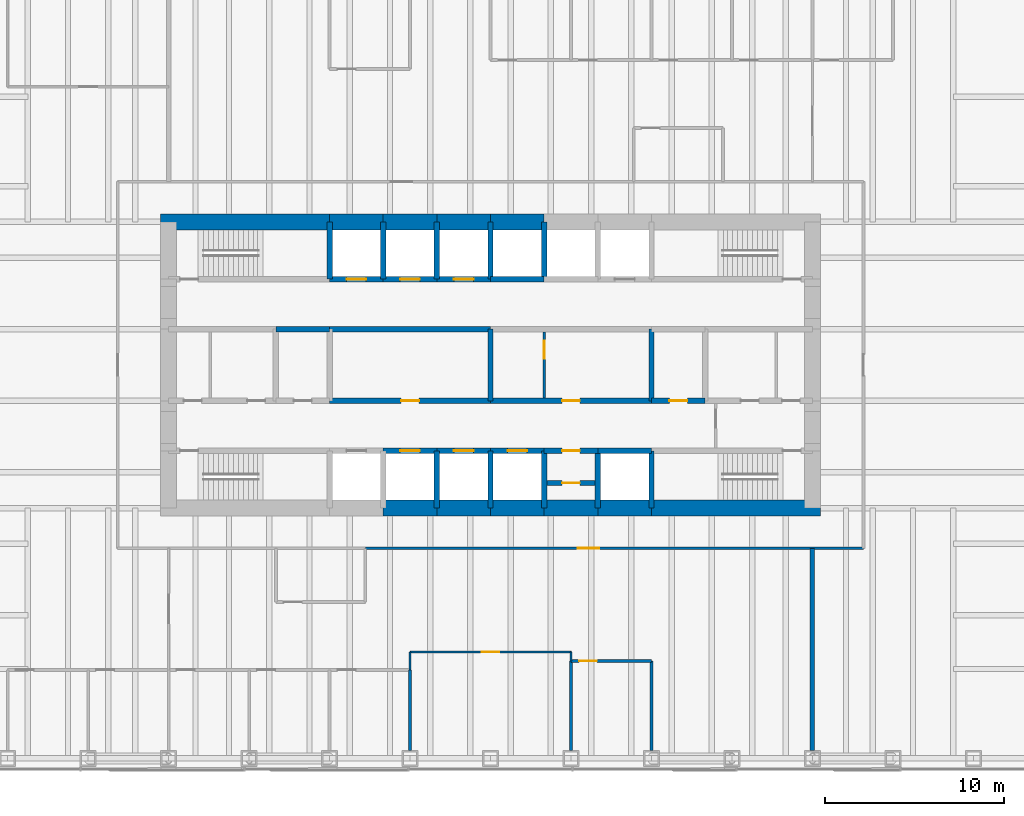
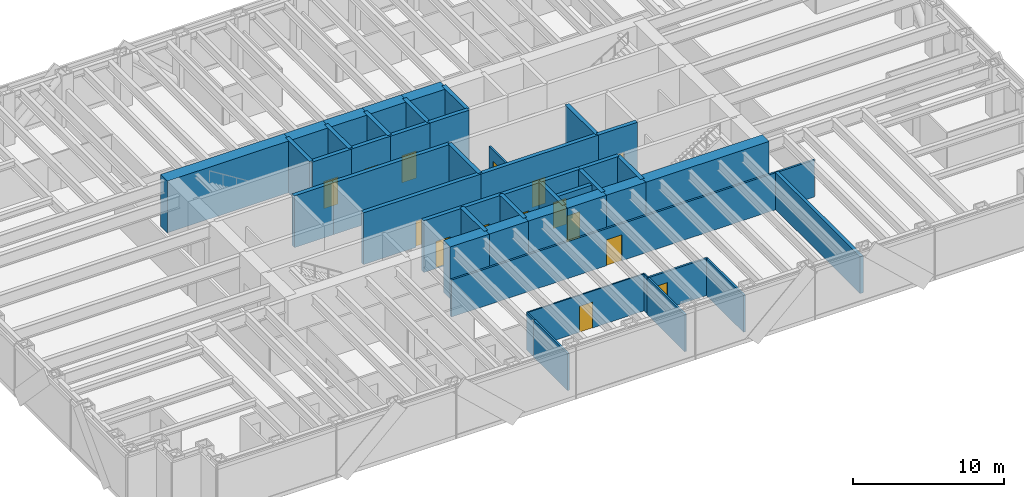
# One storey, part 12 of 15: 48 walls, 15 doors, 15 openings.
"""IFC4 building model written with IfcOpenShell, lengths in metres."""

from ifc_helpers import new_model, si_unit, direction, frame, frame_2d, origin, place, context, subcontext, project, spatial, rectangle, extrude, material, layer, layer_set, type_object, element, fill, save


model = new_model("IFC4")

# Units and contexts
model_context = context("Model", 3, precision=1e-05, world=origin(), true_north=direction((0.0, 1.0)))
body_context = subcontext(model_context, "Body", "Model", "MODEL_VIEW")
ifc_project = project(units=[si_unit("LENGTHUNIT", "METRE"), si_unit("AREAUNIT", "SQUARE_METRE"), si_unit("VOLUMEUNIT", "CUBIC_METRE"), si_unit("PLANEANGLEUNIT", "RADIAN"), si_unit("MASSUNIT", "GRAM", prefix="KILO")], contexts=[model_context])

# Site, building, storey
site_placement = place(None, origin())
site = spatial("IfcSite", under=ifc_project, at=site_placement, CompositionType="ELEMENT")
building_placement = place(site_placement, origin())
building = spatial("IfcBuilding", under=site, at=building_placement, Name="Rheinbord Bourse Tower", CompositionType="ELEMENT")
storey_placement = place(building_placement, frame((0.0, 0.0, 163.5)))
storey = spatial("IfcBuildingStorey", under=building, at=storey_placement, Name="L36", CompositionType="ELEMENT", Elevation=163.5)

# Wall, opening, door
ifc_material_1 = material(Name="Concrete C50/60", Category="concrete")
ifc_layer_1 = layer(ifc_material_1, 0.300048828125)
ifc_layer_set_1 = layer_set([ifc_layer_1], Name="CORE INNER WALL 300")
wall_type_1 = type_object("IfcWallType", Name="CORE INNER WALL 300", PredefinedType="SOLIDWALL", material=ifc_layer_set_1)
wall_1_placement = place(storey_placement, frame((30.0, 19.199951171875, 0.0), z_axis=(0.0, 0.0, 1.0), x_axis=(1.0, 0.0, 0.0)))
wall_1 = element("IfcWall", 1, at=wall_1_placement, inside=storey, type_object=wall_type_1, Name="Core wall A3 L36", PredefinedType="SOLIDWALL", context=body_context, shape_type="SweptSolid", body=[
    extrude(rectangle(XDim=3.0, YDim=0.300048828125, at=frame_2d((1.5, 0.0))), origin(), (0.0, 0.0, 1.0), 4.199951171875),
])
opening_1_placement = place(wall_1_placement, frame((0.949951171875, 0.0, 0.0)))
opening_1 = element("IfcOpeningElement", 2, at=opening_1_placement, cuts=wall_1, Name="Opening PB1", PredefinedType="OPENING", context=body_context, shape_type="SweptSolid", body=[
    extrude(rectangle(XDim=1.10009765625, YDim=2.199951171875, at=frame_2d((0.550048828125, 1.10009765625))), frame((0.0, 0.159912109375, 0.0), z_axis=(0.0, -1.0, 0.0), x_axis=(1.0, 0.0, 0.0)), (0.0, 0.0, 1.0), 0.320068359375),
])
ifc_material_2 = material(Name="Steel landing door", Category="steel")
door_type_1 = type_object("IfcDoorType", Name="LIFT LANDING DOOR 1100", OperationType="DOUBLE_DOOR_SLIDING", PredefinedType="USERDEFINED", material=ifc_material_2)
door_1_placement = place(opening_1_placement, origin())
door_1 = element("IfcDoor", 3, at=door_1_placement, inside=storey, type_object=door_type_1, Name="Lift landing door PB1 L36", ObjectType="LIFT LANDING DOOR", OperationType="DOUBLE_DOOR_SLIDING", OverallHeight=2.199951171875, OverallWidth=1.10009765625, PredefinedType="USERDEFINED", context=body_context, shape_type="SweptSolid", body=[
    extrude(rectangle(XDim=1.10009765625, YDim=2.199951171875, at=frame_2d((0.550048828125, 1.10009765625))), frame((0.0, 0.02490234375, 0.0), z_axis=(0.0, -1.0, 0.0), x_axis=(1.0, 0.0, 0.0)), (0.0, 0.0, 1.0), 0.050048828125),
])
fill(opening_1, door_1)

wall_2_placement = place(storey_placement, frame((33.0, 19.199951171875, 0.0), z_axis=(0.0, 0.0, 1.0), x_axis=(1.0, 0.0, 0.0)))
wall_2 = element("IfcWall", 4, at=wall_2_placement, inside=storey, type_object=wall_type_1, Name="Core wall A4 L36", PredefinedType="SOLIDWALL", context=body_context, shape_type="SweptSolid", body=[
    extrude(rectangle(XDim=3.0, YDim=0.300048828125, at=frame_2d((1.5, 0.0))), origin(), (0.0, 0.0, 1.0), 4.199951171875),
])
opening_2_placement = place(wall_2_placement, frame((0.949951171875, 0.0, 0.0)))
opening_2 = element("IfcOpeningElement", 5, at=opening_2_placement, cuts=wall_2, Name="Opening PB2", PredefinedType="OPENING", context=body_context, shape_type="SweptSolid", body=[
    extrude(rectangle(XDim=1.10009765625, YDim=2.199951171875, at=frame_2d((0.550048828125, 1.10009765625))), frame((0.0, 0.159912109375, 0.0), z_axis=(0.0, -1.0, 0.0), x_axis=(1.0, 0.0, 0.0)), (0.0, 0.0, 1.0), 0.320068359375),
])
door_2_placement = place(opening_2_placement, origin())
door_2 = element("IfcDoor", 6, at=door_2_placement, inside=storey, type_object=door_type_1, Name="Lift landing door PB2 L36", ObjectType="LIFT LANDING DOOR", OperationType="DOUBLE_DOOR_SLIDING", OverallHeight=2.199951171875, OverallWidth=1.10009765625, PredefinedType="USERDEFINED", context=body_context, shape_type="SweptSolid", body=[
    extrude(rectangle(XDim=1.10009765625, YDim=2.199951171875, at=frame_2d((0.550048828125, 1.10009765625))), frame((0.0, 0.02490234375, 0.0), z_axis=(0.0, -1.0, 0.0), x_axis=(1.0, 0.0, 0.0)), (0.0, 0.0, 1.0), 0.050048828125),
])
fill(opening_2, door_2)

wall_3_placement = place(storey_placement, frame((36.0, 19.199951171875, 0.0), z_axis=(0.0, 0.0, 1.0), x_axis=(1.0, 0.0, 0.0)))
wall_3 = element("IfcWall", 7, at=wall_3_placement, inside=storey, type_object=wall_type_1, Name="Core wall A5 L36", PredefinedType="SOLIDWALL", context=body_context, shape_type="SweptSolid", body=[
    extrude(rectangle(XDim=3.0, YDim=0.300048828125, at=frame_2d((1.5, 0.0))), origin(), (0.0, 0.0, 1.0), 4.199951171875),
])
opening_3_placement = place(wall_3_placement, frame((0.949951171875, 0.0, 0.0)))
opening_3 = element("IfcOpeningElement", 8, at=opening_3_placement, cuts=wall_3, Name="Opening PB3", PredefinedType="OPENING", context=body_context, shape_type="SweptSolid", body=[
    extrude(rectangle(XDim=1.10009765625, YDim=2.199951171875, at=frame_2d((0.550048828125, 1.10009765625))), frame((0.0, 0.159912109375, 0.0), z_axis=(0.0, -1.0, 0.0), x_axis=(1.0, 0.0, 0.0)), (0.0, 0.0, 1.0), 0.320068359375),
])
door_3_placement = place(opening_3_placement, origin())
door_3 = element("IfcDoor", 9, at=door_3_placement, inside=storey, type_object=door_type_1, Name="Lift landing door PB3 L36", ObjectType="LIFT LANDING DOOR", OperationType="DOUBLE_DOOR_SLIDING", OverallHeight=2.199951171875, OverallWidth=1.10009765625, PredefinedType="USERDEFINED", context=body_context, shape_type="SweptSolid", body=[
    extrude(rectangle(XDim=1.10009765625, YDim=2.199951171875, at=frame_2d((0.550048828125, 1.10009765625))), frame((0.0, 0.02490234375, 0.0), z_axis=(0.0, -1.0, 0.0), x_axis=(1.0, 0.0, 0.0)), (0.0, 0.0, 1.0), 0.050048828125),
])
fill(opening_3, door_3)

wall_4_placement = place(storey_placement, frame((39.0, 19.199951171875, 0.0), z_axis=(0.0, 0.0, 1.0), x_axis=(1.0, 0.0, 0.0)))
wall_4 = element("IfcWall", 10, at=wall_4_placement, inside=storey, type_object=wall_type_1, Name="Core wall A6 L36", PredefinedType="SOLIDWALL", context=body_context, shape_type="SweptSolid", body=[
    extrude(rectangle(XDim=3.0, YDim=0.300048828125, at=frame_2d((1.5, 0.0))), origin(), (0.0, 0.0, 1.0), 4.199951171875),
])
opening_4_placement = place(wall_4_placement, frame((1.0, 0.0, 0.0)))
opening_4 = element("IfcOpeningElement", 11, at=opening_4_placement, cuts=wall_4, Name="Opening 36R8", PredefinedType="OPENING", context=body_context, shape_type="SweptSolid", body=[
    extrude(rectangle(XDim=1.0, YDim=2.10009765625, at=frame_2d((0.5, 1.050048828125))), frame((0.0, 0.159912109375, 0.0), z_axis=(0.0, -1.0, 0.0), x_axis=(1.0, 0.0, 0.0)), (0.0, 0.0, 1.0), 0.320068359375),
])
ifc_material_3 = material(Name="Steel door", Category="steel")
door_type_2 = type_object("IfcDoorType", Name="DOOR 1000 EI30", OperationType="SINGLE_SWING_LEFT", PredefinedType="DOOR", material=ifc_material_3)
door_4_placement = place(opening_4_placement, origin())
door_4 = element("IfcDoor", 12, at=door_4_placement, inside=storey, type_object=door_type_2, Name="Mail room door L36", OperationType="SINGLE_SWING_LEFT", OverallHeight=2.10009765625, OverallWidth=1.0, PredefinedType="DOOR", context=body_context, shape_type="SweptSolid", body=[
    extrude(rectangle(XDim=1.0, YDim=2.10009765625, at=frame_2d((0.5, 1.050048828125))), frame((0.0, 0.02490234375, 0.0), z_axis=(0.0, -1.0, 0.0), x_axis=(1.0, 0.0, 0.0)), (0.0, 0.0, 1.0), 0.050048828125),
])
fill(opening_4, door_4)

# Wall
wall_5_placement = place(storey_placement, frame((42.0, 19.199951171875, 0.0), z_axis=(0.0, 0.0, 1.0), x_axis=(1.0, 0.0, 0.0)))
element("IfcWall", 13, at=wall_5_placement, inside=storey, type_object=wall_type_1, Name="Core wall A7 L36", PredefinedType="SOLIDWALL", context=body_context, shape_type="SweptSolid", body=[
    extrude(rectangle(XDim=3.0, YDim=0.300048828125, at=frame_2d((1.5, 0.0))), origin(), (0.0, 0.0, 1.0), 4.199951171875),
])

# Wall, opening, door
wall_6_placement = place(storey_placement, frame((27.0, 28.800048828125, 0.0), z_axis=(0.0, 0.0, 1.0), x_axis=(1.0, 0.0, 0.0)))
wall_6 = element("IfcWall", 14, at=wall_6_placement, inside=storey, type_object=wall_type_1, Name="Core wall B2 L36", PredefinedType="SOLIDWALL", context=body_context, shape_type="SweptSolid", body=[
    extrude(rectangle(XDim=3.0, YDim=0.300048828125, at=frame_2d((1.5, 0.0))), origin(), (0.0, 0.0, 1.0), 4.199951171875),
])
opening_5_placement = place(wall_6_placement, frame((0.949951171875, 0.0, 0.0)))
opening_5 = element("IfcOpeningElement", 15, at=opening_5_placement, cuts=wall_6, Name="Opening GL1", PredefinedType="OPENING", context=body_context, shape_type="SweptSolid", body=[
    extrude(rectangle(XDim=1.10009765625, YDim=2.199951171875, at=frame_2d((0.550048828125, 1.10009765625))), frame((0.0, 0.159912109375, 0.0), z_axis=(0.0, -1.0, 0.0), x_axis=(1.0, 0.0, 0.0)), (0.0, 0.0, 1.0), 0.320068359375),
])
door_5_placement = place(opening_5_placement, origin())
door_5 = element("IfcDoor", 16, at=door_5_placement, inside=storey, type_object=door_type_1, Name="Lift landing door GL1 L36", ObjectType="LIFT LANDING DOOR", OperationType="DOUBLE_DOOR_SLIDING", OverallHeight=2.199951171875, OverallWidth=1.10009765625, PredefinedType="USERDEFINED", context=body_context, shape_type="SweptSolid", body=[
    extrude(rectangle(XDim=1.10009765625, YDim=2.199951171875, at=frame_2d((0.550048828125, 1.10009765625))), frame((0.0, 0.02490234375, 0.0), z_axis=(0.0, -1.0, 0.0), x_axis=(1.0, 0.0, 0.0)), (0.0, 0.0, 1.0), 0.050048828125),
])
fill(opening_5, door_5)

wall_7_placement = place(storey_placement, frame((30.0, 28.800048828125, 0.0), z_axis=(0.0, 0.0, 1.0), x_axis=(1.0, 0.0, 0.0)))
wall_7 = element("IfcWall", 17, at=wall_7_placement, inside=storey, type_object=wall_type_1, Name="Core wall B3 L36", PredefinedType="SOLIDWALL", context=body_context, shape_type="SweptSolid", body=[
    extrude(rectangle(XDim=3.0, YDim=0.300048828125, at=frame_2d((1.5, 0.0))), origin(), (0.0, 0.0, 1.0), 4.199951171875),
])
opening_6_placement = place(wall_7_placement, frame((0.949951171875, 0.0, 0.0)))
opening_6 = element("IfcOpeningElement", 18, at=opening_6_placement, cuts=wall_7, Name="Opening PB4", PredefinedType="OPENING", context=body_context, shape_type="SweptSolid", body=[
    extrude(rectangle(XDim=1.10009765625, YDim=2.199951171875, at=frame_2d((0.550048828125, 1.10009765625))), frame((0.0, 0.159912109375, 0.0), z_axis=(0.0, -1.0, 0.0), x_axis=(1.0, 0.0, 0.0)), (0.0, 0.0, 1.0), 0.320068359375),
])
door_6_placement = place(opening_6_placement, origin())
door_6 = element("IfcDoor", 19, at=door_6_placement, inside=storey, type_object=door_type_1, Name="Lift landing door PB4 L36", ObjectType="LIFT LANDING DOOR", OperationType="DOUBLE_DOOR_SLIDING", OverallHeight=2.199951171875, OverallWidth=1.10009765625, PredefinedType="USERDEFINED", context=body_context, shape_type="SweptSolid", body=[
    extrude(rectangle(XDim=1.10009765625, YDim=2.199951171875, at=frame_2d((0.550048828125, 1.10009765625))), frame((0.0, 0.02490234375, 0.0), z_axis=(0.0, -1.0, 0.0), x_axis=(1.0, 0.0, 0.0)), (0.0, 0.0, 1.0), 0.050048828125),
])
fill(opening_6, door_6)

wall_8_placement = place(storey_placement, frame((33.0, 28.800048828125, 0.0), z_axis=(0.0, 0.0, 1.0), x_axis=(1.0, 0.0, 0.0)))
wall_8 = element("IfcWall", 20, at=wall_8_placement, inside=storey, type_object=wall_type_1, Name="Core wall B4 L36", PredefinedType="SOLIDWALL", context=body_context, shape_type="SweptSolid", body=[
    extrude(rectangle(XDim=3.0, YDim=0.300048828125, at=frame_2d((1.5, 0.0))), origin(), (0.0, 0.0, 1.0), 4.199951171875),
])
opening_7_placement = place(wall_8_placement, frame((0.949951171875, 0.0, 0.0)))
opening_7 = element("IfcOpeningElement", 21, at=opening_7_placement, cuts=wall_8, Name="Opening PB5", PredefinedType="OPENING", context=body_context, shape_type="SweptSolid", body=[
    extrude(rectangle(XDim=1.10009765625, YDim=2.199951171875, at=frame_2d((0.550048828125, 1.10009765625))), frame((0.0, 0.159912109375, 0.0), z_axis=(0.0, -1.0, 0.0), x_axis=(1.0, 0.0, 0.0)), (0.0, 0.0, 1.0), 0.320068359375),
])
door_7_placement = place(opening_7_placement, origin())
door_7 = element("IfcDoor", 22, at=door_7_placement, inside=storey, type_object=door_type_1, Name="Lift landing door PB5 L36", ObjectType="LIFT LANDING DOOR", OperationType="DOUBLE_DOOR_SLIDING", OverallHeight=2.199951171875, OverallWidth=1.10009765625, PredefinedType="USERDEFINED", context=body_context, shape_type="SweptSolid", body=[
    extrude(rectangle(XDim=1.10009765625, YDim=2.199951171875, at=frame_2d((0.550048828125, 1.10009765625))), frame((0.0, 0.02490234375, 0.0), z_axis=(0.0, -1.0, 0.0), x_axis=(1.0, 0.0, 0.0)), (0.0, 0.0, 1.0), 0.050048828125),
])
fill(opening_7, door_7)

# Wall
wall_9_placement = place(storey_placement, frame((36.0, 28.800048828125, 0.0), z_axis=(0.0, 0.0, 1.0), x_axis=(1.0, 0.0, 0.0)))
element("IfcWall", 23, at=wall_9_placement, inside=storey, type_object=wall_type_1, Name="Core wall B5 L36", PredefinedType="SOLIDWALL", context=body_context, shape_type="SweptSolid", body=[
    extrude(rectangle(XDim=3.0, YDim=0.300048828125, at=frame_2d((1.5, 0.0))), origin(), (0.0, 0.0, 1.0), 4.199951171875),
])

# Wall, opening, door
wall_10_placement = place(storey_placement, frame((27.0, 22.0, 0.0), z_axis=(0.0, 0.0, 1.0), x_axis=(1.0, 0.0, 0.0)))
wall_10 = element("IfcWall", 24, at=wall_10_placement, inside=storey, type_object=wall_type_1, Name="Core wall C3 L36", PredefinedType="SOLIDWALL", context=body_context, shape_type="SweptSolid", body=[
    extrude(rectangle(XDim=9.0, YDim=0.300048828125, at=frame_2d((4.5, 0.0))), origin(), (0.0, 0.0, 1.0), 4.199951171875),
])
opening_8_placement = place(wall_10_placement, frame((4.0, 0.0, 0.0)))
opening_8 = element("IfcOpeningElement", 25, at=opening_8_placement, cuts=wall_10, Name="Opening 36R3", PredefinedType="OPENING", context=body_context, shape_type="SweptSolid", body=[
    extrude(rectangle(XDim=1.0, YDim=2.10009765625, at=frame_2d((0.5, 1.050048828125))), frame((0.0, 0.159912109375, 0.0), z_axis=(0.0, -1.0, 0.0), x_axis=(1.0, 0.0, 0.0)), (0.0, 0.0, 1.0), 0.320068359375),
])
door_8_placement = place(opening_8_placement, origin())
door_8 = element("IfcDoor", 26, at=door_8_placement, inside=storey, type_object=door_type_2, Name="Riser door L36", OperationType="SINGLE_SWING_LEFT", OverallHeight=2.10009765625, OverallWidth=1.0, PredefinedType="DOOR", context=body_context, shape_type="SweptSolid", body=[
    extrude(rectangle(XDim=1.0, YDim=2.10009765625, at=frame_2d((0.5, 1.050048828125))), frame((0.0, 0.02490234375, 0.0), z_axis=(0.0, -1.0, 0.0), x_axis=(1.0, 0.0, 0.0)), (0.0, 0.0, 1.0), 0.050048828125),
])
fill(opening_8, door_8)

wall_11_placement = place(storey_placement, frame((36.0, 22.0, 0.0), z_axis=(0.0, 0.0, 1.0), x_axis=(1.0, 0.0, 0.0)))
wall_11 = element("IfcWall", 27, at=wall_11_placement, inside=storey, type_object=wall_type_1, Name="Core wall C4 L36", PredefinedType="SOLIDWALL", context=body_context, shape_type="SweptSolid", body=[
    extrude(rectangle(XDim=9.0, YDim=0.300048828125, at=frame_2d((4.5, 0.0))), origin(), (0.0, 0.0, 1.0), 4.199951171875),
])
opening_9_placement = place(wall_11_placement, frame((4.0, 0.0, 0.0)))
opening_9 = element("IfcOpeningElement", 28, at=opening_9_placement, cuts=wall_11, Name="Opening 36R4", PredefinedType="OPENING", context=body_context, shape_type="SweptSolid", body=[
    extrude(rectangle(XDim=1.0, YDim=2.10009765625, at=frame_2d((0.5, 1.050048828125))), frame((0.0, 0.159912109375, 0.0), z_axis=(0.0, -1.0, 0.0), x_axis=(1.0, 0.0, 0.0)), (0.0, 0.0, 1.0), 0.320068359375),
])
door_9_placement = place(opening_9_placement, origin())
door_9 = element("IfcDoor", 29, at=door_9_placement, inside=storey, type_object=door_type_2, Name="Pantry door L36", OperationType="SINGLE_SWING_LEFT", OverallHeight=2.10009765625, OverallWidth=1.0, PredefinedType="DOOR", context=body_context, shape_type="SweptSolid", body=[
    extrude(rectangle(XDim=1.0, YDim=2.10009765625, at=frame_2d((0.5, 1.050048828125))), frame((0.0, 0.02490234375, 0.0), z_axis=(0.0, -1.0, 0.0), x_axis=(1.0, 0.0, 0.0)), (0.0, 0.0, 1.0), 0.050048828125),
])
fill(opening_9, door_9)

wall_12_placement = place(storey_placement, frame((45.0, 22.0, 0.0), z_axis=(0.0, 0.0, 1.0), x_axis=(1.0, 0.0, 0.0)))
wall_12 = element("IfcWall", 30, at=wall_12_placement, inside=storey, type_object=wall_type_1, Name="Core wall C5 L36", PredefinedType="SOLIDWALL", context=body_context, shape_type="SweptSolid", body=[
    extrude(rectangle(XDim=3.0, YDim=0.300048828125, at=frame_2d((1.5, 0.0))), origin(), (0.0, 0.0, 1.0), 4.199951171875),
])
opening_10_placement = place(wall_12_placement, frame((1.0, 0.0, 0.0)))
opening_10 = element("IfcOpeningElement", 31, at=opening_10_placement, cuts=wall_12, Name="Opening 36R5", PredefinedType="OPENING", context=body_context, shape_type="SweptSolid", body=[
    extrude(rectangle(XDim=1.0, YDim=2.10009765625, at=frame_2d((0.5, 1.050048828125))), frame((0.0, 0.159912109375, 0.0), z_axis=(0.0, -1.0, 0.0), x_axis=(1.0, 0.0, 0.0)), (0.0, 0.0, 1.0), 0.320068359375),
])
ifc_material_4 = material(Name="Timber door", Category="wood")
door_type_3 = type_object("IfcDoorType", Name="DOOR 1000 WC", OperationType="SINGLE_SWING_LEFT", PredefinedType="DOOR", material=ifc_material_4)
door_10_placement = place(opening_10_placement, origin())
door_10 = element("IfcDoor", 32, at=door_10_placement, inside=storey, type_object=door_type_3, Name="Accessible WC door L36", OperationType="SINGLE_SWING_LEFT", OverallHeight=2.10009765625, OverallWidth=1.0, PredefinedType="DOOR", context=body_context, shape_type="SweptSolid", body=[
    extrude(rectangle(XDim=1.0, YDim=2.10009765625, at=frame_2d((0.5, 1.050048828125))), frame((0.0, 0.02490234375, 0.0), z_axis=(0.0, -1.0, 0.0), x_axis=(1.0, 0.0, 0.0)), (0.0, 0.0, 1.0), 0.050048828125),
])
fill(opening_10, door_10)

# Walls
wall_13_placement = place(storey_placement, frame((24.0, 26.0, 0.0), z_axis=(0.0, 0.0, 1.0), x_axis=(1.0, 0.0, 0.0)))
element("IfcWall", 33, at=wall_13_placement, inside=storey, type_object=wall_type_1, Name="Core wall D2 L36", PredefinedType="SOLIDWALL", context=body_context, shape_type="SweptSolid", body=[
    extrude(rectangle(XDim=3.0, YDim=0.300048828125, at=frame_2d((1.5, 0.0))), origin(), (0.0, 0.0, 1.0), 4.199951171875),
])
wall_14_placement = place(storey_placement, frame((27.0, 26.0, 0.0), z_axis=(0.0, 0.0, 1.0), x_axis=(1.0, 0.0, 0.0)))
element("IfcWall", 34, at=wall_14_placement, inside=storey, type_object=wall_type_1, Name="Core wall D3 L36", PredefinedType="SOLIDWALL", context=body_context, shape_type="SweptSolid", body=[
    extrude(rectangle(XDim=9.0, YDim=0.300048828125, at=frame_2d((4.5, 0.0))), origin(), (0.0, 0.0, 1.0), 4.199951171875),
])
for number, where, z_axis, x_axis, name in (
    (35, (27.0, 28.800048828125, 0.0), (0.0, 0.0, 1.0), (0.0, 1.0, 0.0), "Core wall NX27 L36"),
    (36, (30.0, 28.800048828125, 0.0), (0.0, 0.0, 1.0), (0.0, 1.0, 0.0), "Core wall NX30 L36"),
    (37, (33.0, 16.0, 0.0), (0.0, 0.0, 1.0), (0.0, 1.0, 0.0), "Core wall SX33 L36"),
    (38, (33.0, 28.800048828125, 0.0), (0.0, 0.0, 1.0), (0.0, 1.0, 0.0), "Core wall NX33 L36"),
    (39, (36.0, 16.0, 0.0), (0.0, 0.0, 1.0), (0.0, 1.0, 0.0), "Core wall SX36 L36"),
    (40, (36.0, 28.800048828125, 0.0), (0.0, 0.0, 1.0), (0.0, 1.0, 0.0), "Core wall NX36 L36"),
    (41, (39.0, 16.0, 0.0), (0.0, 0.0, 1.0), (0.0, 1.0, 0.0), "Core wall SX39 L36"),
    (42, (39.0, 28.800048828125, 0.0), (0.0, 0.0, 1.0), (0.0, 1.0, 0.0), "Core wall NX39 L36"),
    (43, (42.0, 16.0, 0.0), (0.0, 0.0, 1.0), (0.0, 1.0, 0.0), "Core wall SX42 L36"),
    (44, (45.0, 16.0, 0.0), (0.0, 0.0, 1.0), (0.0, 1.0, 0.0), "Core wall SX45 L36"),
):
    element("IfcWall", number, at=place(storey_placement, frame(where, z_axis=z_axis, x_axis=x_axis)), inside=storey, type_object=wall_type_1, Name=name, PredefinedType="SOLIDWALL", context=body_context, shape_type="SweptSolid", body=[
        extrude(rectangle(XDim=3.199951171875, YDim=0.300048828125, at=frame_2d((1.60009765625, 0.0))), origin(), (0.0, 0.0, 1.0), 4.199951171875),
    ])
for number, where, z_axis, x_axis, name in (
    (45, (36.0, 22.0, 0.0), (0.0, 0.0, 1.0), (0.0, 1.0, 0.0), "Core wall MX36 L36"),
    (46, (45.0, 22.0, 0.0), (0.0, 0.0, 1.0), (0.0, 1.0, 0.0), "Core wall MX45 L36"),
):
    element("IfcWall", number, at=place(storey_placement, frame(where, z_axis=z_axis, x_axis=x_axis)), inside=storey, type_object=wall_type_1, Name=name, PredefinedType="SOLIDWALL", context=body_context, shape_type="SweptSolid", body=[
        extrude(rectangle(XDim=4.0, YDim=0.300048828125, at=frame_2d((2.0, 0.0))), origin(), (0.0, 0.0, 1.0), 4.199951171875),
    ])

# Wall, opening, door
wall_15_placement = place(storey_placement, frame((39.14990234375, 17.39990234375, 0.0), z_axis=(0.0, 0.0, 1.0), x_axis=(1.0, 0.0, 0.0)))
wall_15 = element("IfcWall", 47, at=wall_15_placement, inside=storey, type_object=wall_type_1, Name="Core riser wall L36-6", PredefinedType="SOLIDWALL", context=body_context, shape_type="SweptSolid", body=[
    extrude(rectangle(XDim=2.7001953125, YDim=0.300048828125, at=frame_2d((1.35009765625, 0.0))), origin(), (0.0, 0.0, 1.0), 4.0400390625),
])
opening_11_placement = place(wall_15_placement, frame((0.85009765625, 0.0, 0.0)))
opening_11 = element("IfcOpeningElement", 48, at=opening_11_placement, cuts=wall_15, Name="Opening 36R12", PredefinedType="OPENING", context=body_context, shape_type="SweptSolid", body=[
    extrude(rectangle(XDim=1.0, YDim=2.10009765625, at=frame_2d((0.5, 1.050048828125))), frame((0.0, 0.159912109375, 0.0), z_axis=(0.0, -1.0, 0.0), x_axis=(1.0, 0.0, 0.0)), (0.0, 0.0, 1.0), 0.320068359375),
])
door_11_placement = place(opening_11_placement, origin())
door_11 = element("IfcDoor", 49, at=door_11_placement, inside=storey, type_object=door_type_2, Name="Comms riser door L36", OperationType="SINGLE_SWING_LEFT", OverallHeight=2.10009765625, OverallWidth=1.0, PredefinedType="DOOR", context=body_context, shape_type="SweptSolid", body=[
    extrude(rectangle(XDim=1.0, YDim=2.10009765625, at=frame_2d((0.5, 1.050048828125))), frame((0.0, 0.02490234375, 0.0), z_axis=(0.0, -1.0, 0.0), x_axis=(1.0, 0.0, 0.0)), (0.0, 0.0, 1.0), 0.050048828125),
])
fill(opening_11, door_11)

ifc_material_5 = material(Name="Gypsum board fire partition", Category="gypsum board")
ifc_layer_2 = layer(ifc_material_5, 0.14990234375)
ifc_layer_set_2 = layer_set([ifc_layer_2], Name="CORE PARTITION 150 EI30")
wall_type_2 = type_object("IfcWallType", Name="CORE PARTITION 150 EI30", PredefinedType="PARTITIONING", material=ifc_layer_set_2)
wall_16_placement = place(storey_placement, frame((39.0, 22.14990234375, 0.0), z_axis=(0.0, 0.0, 1.0), x_axis=(0.0, 1.0, 0.0)))
wall_16 = element("IfcWall", 50, at=wall_16_placement, inside=storey, type_object=wall_type_2, Name="Core partition L36-1", PredefinedType="PARTITIONING", context=body_context, shape_type="SweptSolid", body=[
    extrude(rectangle(XDim=3.7001953125, YDim=0.14990234375, at=frame_2d((1.85009765625, 0.0))), origin(), (0.0, 0.0, 1.0), 3.0),
])
opening_12_placement = place(wall_16_placement, frame((2.199951171875, 0.0, 0.0)))
opening_12 = element("IfcOpeningElement", 51, at=opening_12_placement, cuts=wall_16, Name="Opening 36R7", PredefinedType="OPENING", context=body_context, shape_type="SweptSolid", body=[
    extrude(rectangle(XDim=1.0, YDim=2.10009765625, at=frame_2d((0.5, 1.050048828125))), frame((0.0, 0.0849609375, 0.0), z_axis=(0.0, -1.0, 0.0), x_axis=(1.0, 0.0, 0.0)), (0.0, 0.0, 1.0), 0.169921875),
])
door_12_placement = place(opening_12_placement, origin())
door_12 = element("IfcDoor", 52, at=door_12_placement, inside=storey, type_object=door_type_2, Name="Cleaner's store door L36", OperationType="SINGLE_SWING_RIGHT", OverallHeight=2.10009765625, OverallWidth=1.0, PredefinedType="DOOR", context=body_context, shape_type="SweptSolid", body=[
    extrude(rectangle(XDim=1.0, YDim=2.10009765625, at=frame_2d((0.5, 1.050048828125))), frame((0.0, 0.02490234375, 0.0), z_axis=(0.0, -1.0, 0.0), x_axis=(1.0, 0.0, 0.0)), (0.0, 0.0, 1.0), 0.050048828125),
])
fill(opening_12, door_12)

# Walls
ifc_material_6 = material(Name="Concrete C50/60", Category="concrete")
ifc_layer_3 = layer(ifc_material_6, 0.89990234375)
ifc_layer_set_3 = layer_set([ifc_layer_3], Name="CORE WALL 900")
wall_type_3 = type_object("IfcWallType", Name="CORE WALL 900", PredefinedType="SHEAR", material=ifc_layer_set_3)
for number, where, z_axis, x_axis, name in (
    (53, (30.0, 16.0, 0.0), (0.0, 0.0, 1.0), (1.0, 0.0, 0.0), "Core wall S3 L36"),
    (54, (33.0, 16.0, 0.0), (0.0, 0.0, 1.0), (1.0, 0.0, 0.0), "Core wall S4 L36"),
    (55, (36.0, 16.0, 0.0), (0.0, 0.0, 1.0), (1.0, 0.0, 0.0), "Core wall S5 L36"),
    (56, (39.0, 16.0, 0.0), (0.0, 0.0, 1.0), (1.0, 0.0, 0.0), "Core wall S6 L36"),
    (57, (42.0, 16.0, 0.0), (0.0, 0.0, 1.0), (1.0, 0.0, 0.0), "Core wall S7 L36"),
):
    element("IfcWall", number, at=place(storey_placement, frame(where, z_axis=z_axis, x_axis=x_axis)), inside=storey, type_object=wall_type_3, Name=name, PredefinedType="SHEAR", context=body_context, shape_type="SweptSolid", body=[
        extrude(rectangle(XDim=3.0, YDim=0.89990234375, at=frame_2d((1.5, 0.0))), origin(), (0.0, 0.0, 1.0), 4.199951171875),
    ])
wall_17_placement = place(storey_placement, frame((45.0, 16.0, 0.0), z_axis=(0.0, 0.0, 1.0), x_axis=(1.0, 0.0, 0.0)))
element("IfcWall", 58, at=wall_17_placement, inside=storey, type_object=wall_type_3, Name="Core wall S8 L36", PredefinedType="SHEAR", context=body_context, shape_type="SweptSolid", body=[
    extrude(rectangle(XDim=9.449951171875, YDim=0.89990234375, at=frame_2d((4.72509765625, 0.0))), origin(), (0.0, 0.0, 1.0), 4.199951171875),
])
for number, where, z_axis, x_axis, name in (
    (59, (39.0, 32.0, 0.0), (0.0, 0.0, 1.0), (-1.0, 0.0, 0.0), "Core wall N4 L36"),
    (60, (36.0, 32.0, 0.0), (0.0, 0.0, 1.0), (-1.0, 0.0, 0.0), "Core wall N5 L36"),
    (61, (33.0, 32.0, 0.0), (0.0, 0.0, 1.0), (-1.0, 0.0, 0.0), "Core wall N6 L36"),
    (62, (30.0, 32.0, 0.0), (0.0, 0.0, 1.0), (-1.0, 0.0, 0.0), "Core wall N7 L36"),
):
    element("IfcWall", number, at=place(storey_placement, frame(where, z_axis=z_axis, x_axis=x_axis)), inside=storey, type_object=wall_type_3, Name=name, PredefinedType="SHEAR", context=body_context, shape_type="SweptSolid", body=[
        extrude(rectangle(XDim=3.0, YDim=0.89990234375, at=frame_2d((1.5, 0.0))), origin(), (0.0, 0.0, 1.0), 4.199951171875),
    ])
wall_18_placement = place(storey_placement, frame((27.0, 32.0, 0.0), z_axis=(0.0, 0.0, 1.0), x_axis=(-1.0, 0.0, 0.0)))
element("IfcWall", 63, at=wall_18_placement, inside=storey, type_object=wall_type_3, Name="Core wall N8 L36", PredefinedType="SHEAR", context=body_context, shape_type="SweptSolid", body=[
    extrude(rectangle(XDim=9.449951171875, YDim=0.89990234375, at=frame_2d((4.72509765625, 0.0))), origin(), (0.0, 0.0, 1.0), 4.199951171875),
])

# Wall, opening, door
ifc_material_7 = material(Name="Gypsum board corridor partition", Category="gypsum board")
ifc_layer_4 = layer(ifc_material_7, 0.14990234375)
ifc_layer_set_4 = layer_set([ifc_layer_4], Name="CORRIDOR PARTITION 150 EI30")
wall_type_4 = type_object("IfcWallType", Name="CORRIDOR PARTITION 150 EI30", PredefinedType="PARTITIONING", material=ifc_layer_set_4)
wall_19_placement = place(storey_placement, frame((29.0, 13.75, 0.0), z_axis=(0.0, 0.0, 1.0), x_axis=(1.0, 0.0, 0.0)))
wall_19 = element("IfcWall", 64, at=wall_19_placement, inside=storey, type_object=wall_type_4, Name="Partition L36-10", PredefinedType="PARTITIONING", context=body_context, shape_type="SweptSolid", body=[
    extrude(rectangle(XDim=27.85009765625, YDim=0.14990234375, at=frame_2d((13.925048828125, 0.0))), origin(), (0.0, 0.0, 1.0), 3.0),
])
opening_13_placement = place(wall_19_placement, frame((11.886962890625, 0.0, 0.0)))
opening_13 = element("IfcOpeningElement", 65, at=opening_13_placement, cuts=wall_19, Name="Opening 36D25", PredefinedType="OPENING", context=body_context, shape_type="SweptSolid", body=[
    extrude(rectangle(XDim=1.199951171875, YDim=2.10009765625, at=frame_2d((0.60009765625, 1.050048828125))), frame((0.0, 0.0849609375, 0.0), z_axis=(0.0, -1.0, 0.0), x_axis=(1.0, 0.0, 0.0)), (0.0, 0.0, 1.0), 0.169921875),
])
ifc_material_8 = material(Name="Timber fire door", Category="wood")
door_type_4 = type_object("IfcDoorType", Name="SUITE ENTRANCE DOOR 1200 EI30", OperationType="SINGLE_SWING_LEFT", PredefinedType="DOOR", material=ifc_material_8)
door_13_placement = place(opening_13_placement, origin())
door_13 = element("IfcDoor", 66, at=door_13_placement, inside=storey, type_object=door_type_4, Name="Suite entrance 3 door L36", OperationType="SINGLE_SWING_LEFT", OverallHeight=2.10009765625, OverallWidth=1.199951171875, PredefinedType="DOOR", context=body_context, shape_type="SweptSolid", body=[
    extrude(rectangle(XDim=1.199951171875, YDim=2.10009765625, at=frame_2d((0.60009765625, 1.050048828125))), frame((0.0, 0.02490234375, 0.0), z_axis=(0.0, -1.0, 0.0), x_axis=(1.0, 0.0, 0.0)), (0.0, 0.0, 1.0), 0.050048828125),
])
fill(opening_13, door_13)

# Wall
ifc_material_9 = material(Name="Gypsum board tenancy wall", Category="gypsum board")
ifc_layer_5 = layer(ifc_material_9, 0.25)
ifc_layer_set_5 = layer_set([ifc_layer_5], Name="DEMISING PARTITION 250 EI60")
wall_type_5 = type_object("IfcWallType", Name="DEMISING PARTITION 250 EI60", PredefinedType="PARTITIONING", material=ifc_layer_set_5)
wall_20_placement = place(storey_placement, frame((54.0, 2.449951171875, 0.0), z_axis=(0.0, 0.0, 1.0), x_axis=(0.0, 1.0, 0.0)))
element("IfcWall", 67, at=wall_20_placement, inside=storey, type_object=wall_type_5, Name="Partition L36-49", PredefinedType="PARTITIONING", context=body_context, shape_type="SweptSolid", body=[
    extrude(rectangle(XDim=11.300048828125, YDim=0.25, at=frame_2d((5.64990234375, 0.0))), origin(), (0.0, 0.0, 1.0), 3.0),
])

# Wall, opening, door
ifc_material_10 = material(Name="Toughened laminated glass partition", Category="glass")
ifc_layer_6 = layer(ifc_material_10, 0.10009765625)
ifc_layer_set_6 = layer_set([ifc_layer_6], Name="GLAZED PARTITION 100")
wall_type_6 = type_object("IfcWallType", Name="GLAZED PARTITION 100", PredefinedType="PARTITIONING", material=ifc_layer_set_6)
wall_21_placement = place(storey_placement, frame((31.5, 7.949951171875, 0.0), z_axis=(0.0, 0.0, 1.0), x_axis=(1.0, 0.0, 0.0)))
wall_21 = element("IfcWall", 68, at=wall_21_placement, inside=storey, type_object=wall_type_6, Name="Partition L36-03", PredefinedType="PARTITIONING", context=body_context, shape_type="SweptSolid", body=[
    extrude(rectangle(XDim=9.0, YDim=0.10009765625, at=frame_2d((4.5, 0.0))), origin(), (0.0, 0.0, 1.0), 3.0),
])
opening_14_placement = place(wall_21_placement, frame((4.0, 0.0, 0.0)))
opening_14 = element("IfcOpeningElement", 69, at=opening_14_placement, cuts=wall_21, Name="Opening 36D07", PredefinedType="OPENING", context=body_context, shape_type="SweptSolid", body=[
    extrude(rectangle(XDim=1.0, YDim=2.10009765625, at=frame_2d((0.5, 1.050048828125))), frame((0.0, 0.06005859375, 0.0), z_axis=(0.0, -1.0, 0.0), x_axis=(1.0, 0.0, 0.0)), (0.0, 0.0, 1.0), 0.1201171875),
])
ifc_material_11 = material(Name="Timber door", Category="wood")
door_type_5 = type_object("IfcDoorType", Name="ROOM DOOR 1000", OperationType="SINGLE_SWING_LEFT", PredefinedType="DOOR", material=ifc_material_11)
door_14_placement = place(opening_14_placement, origin())
door_14 = element("IfcDoor", 70, at=door_14_placement, inside=storey, type_object=door_type_5, Name="Meeting room door L36", OperationType="SINGLE_SWING_LEFT", OverallHeight=2.10009765625, OverallWidth=1.0, PredefinedType="DOOR", context=body_context, shape_type="SweptSolid", body=[
    extrude(rectangle(XDim=1.0, YDim=2.10009765625, at=frame_2d((0.5, 1.050048828125))), frame((0.0, 0.02490234375, 0.0), z_axis=(0.0, -1.0, 0.0), x_axis=(1.0, 0.0, 0.0)), (0.0, 0.0, 1.0), 0.050048828125),
])
fill(opening_14, door_14)

# Walls
wall_22_placement = place(storey_placement, frame((31.5, 6.949951171875, 0.0), z_axis=(0.0, 0.0, 1.0), x_axis=(0.0, 1.0, 0.0)))
element("IfcWall", 71, at=wall_22_placement, inside=storey, type_object=wall_type_6, Name="Partition L36-38", PredefinedType="PARTITIONING", context=body_context, shape_type="SweptSolid", body=[
    extrude(rectangle(XDim=1.0, YDim=0.10009765625, at=frame_2d((0.5, 0.0))), origin(), (0.0, 0.0, 1.0), 3.0),
])
wall_23_placement = place(storey_placement, frame((40.5, 7.449951171875, 0.0), z_axis=(0.0, 0.0, 1.0), x_axis=(0.0, 1.0, 0.0)))
element("IfcWall", 72, at=wall_23_placement, inside=storey, type_object=wall_type_6, Name="Partition L36-42", PredefinedType="PARTITIONING", context=body_context, shape_type="SweptSolid", body=[
    extrude(rectangle(XDim=0.5, YDim=0.10009765625, at=frame_2d((0.25, 0.0))), origin(), (0.0, 0.0, 1.0), 3.0),
])

# Wall, opening, door
ifc_material_12 = material(Name="Gypsum board partition", Category="gypsum board")
ifc_layer_7 = layer(ifc_material_12, 0.14990234375)
ifc_layer_set_7 = layer_set([ifc_layer_7], Name="PARTITION 150")
wall_type_7 = type_object("IfcWallType", Name="PARTITION 150", PredefinedType="PARTITIONING", material=ifc_layer_set_7)
wall_24_placement = place(storey_placement, frame((40.5, 7.449951171875, 0.0), z_axis=(0.0, 0.0, 1.0), x_axis=(1.0, 0.0, 0.0)))
wall_24 = element("IfcWall", 73, at=wall_24_placement, inside=storey, type_object=wall_type_7, Name="Partition L36-02", PredefinedType="PARTITIONING", context=body_context, shape_type="SweptSolid", body=[
    extrude(rectangle(XDim=4.5, YDim=0.14990234375, at=frame_2d((2.25, 0.0))), origin(), (0.0, 0.0, 1.0), 3.0),
])
opening_15_placement = place(wall_24_placement, frame((0.449951171875, 0.0, 0.0)))
opening_15 = element("IfcOpeningElement", 74, at=opening_15_placement, cuts=wall_24, Name="Opening 36D06", PredefinedType="OPENING", context=body_context, shape_type="SweptSolid", body=[
    extrude(rectangle(XDim=1.0, YDim=2.10009765625, at=frame_2d((0.5, 1.050048828125))), frame((0.0, 0.0849609375, 0.0), z_axis=(0.0, -1.0, 0.0), x_axis=(1.0, 0.0, 0.0)), (0.0, 0.0, 1.0), 0.169921875),
])
door_15_placement = place(opening_15_placement, origin())
door_15 = element("IfcDoor", 75, at=door_15_placement, inside=storey, type_object=door_type_5, Name="Pantry door L36", OperationType="SINGLE_SWING_LEFT", OverallHeight=2.10009765625, OverallWidth=1.0, PredefinedType="DOOR", context=body_context, shape_type="SweptSolid", body=[
    extrude(rectangle(XDim=1.0, YDim=2.10009765625, at=frame_2d((0.5, 1.050048828125))), frame((0.0, 0.02490234375, 0.0), z_axis=(0.0, -1.0, 0.0), x_axis=(1.0, 0.0, 0.0)), (0.0, 0.0, 1.0), 0.050048828125),
])
fill(opening_15, door_15)

# Walls
wall_25_placement = place(storey_placement, frame((31.5, 2.449951171875, 0.0), z_axis=(0.0, 0.0, 1.0), x_axis=(0.0, 1.0, 0.0)))
element("IfcWall", 76, at=wall_25_placement, inside=storey, type_object=wall_type_7, Name="Partition L36-37", PredefinedType="PARTITIONING", context=body_context, shape_type="SweptSolid", body=[
    extrude(rectangle(XDim=4.5, YDim=0.14990234375, at=frame_2d((2.25, 0.0))), origin(), (0.0, 0.0, 1.0), 3.0),
])
for number, where, z_axis, x_axis, name in (
    (77, (40.5, 2.449951171875, 0.0), (0.0, 0.0, 1.0), (0.0, 1.0, 0.0), "Partition L36-41"),
    (78, (45.0, 2.449951171875, 0.0), (0.0, 0.0, 1.0), (0.0, 1.0, 0.0), "Partition L36-45"),
):
    element("IfcWall", number, at=place(storey_placement, frame(where, z_axis=z_axis, x_axis=x_axis)), inside=storey, type_object=wall_type_7, Name=name, PredefinedType="PARTITIONING", context=body_context, shape_type="SweptSolid", body=[
        extrude(rectangle(XDim=5.0, YDim=0.14990234375, at=frame_2d((2.5, 0.0))), origin(), (0.0, 0.0, 1.0), 3.0),
    ])

save(model, "model.ifc")
